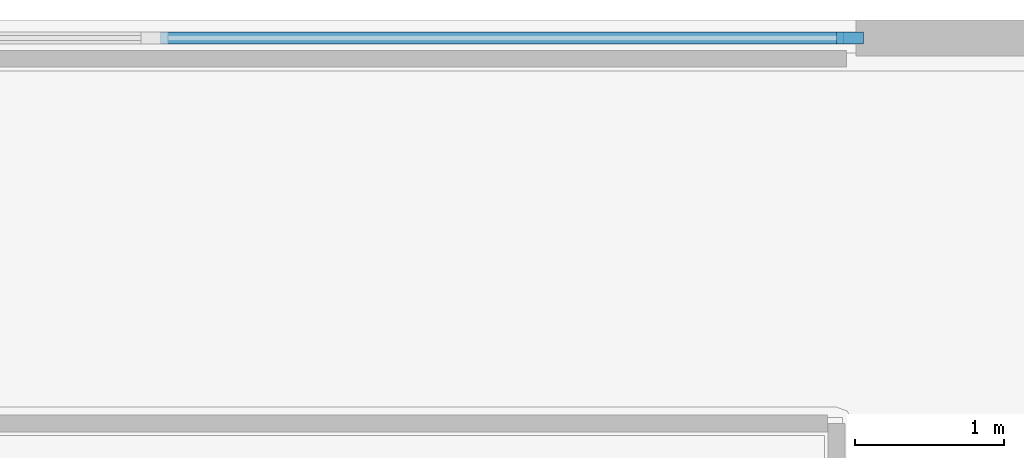
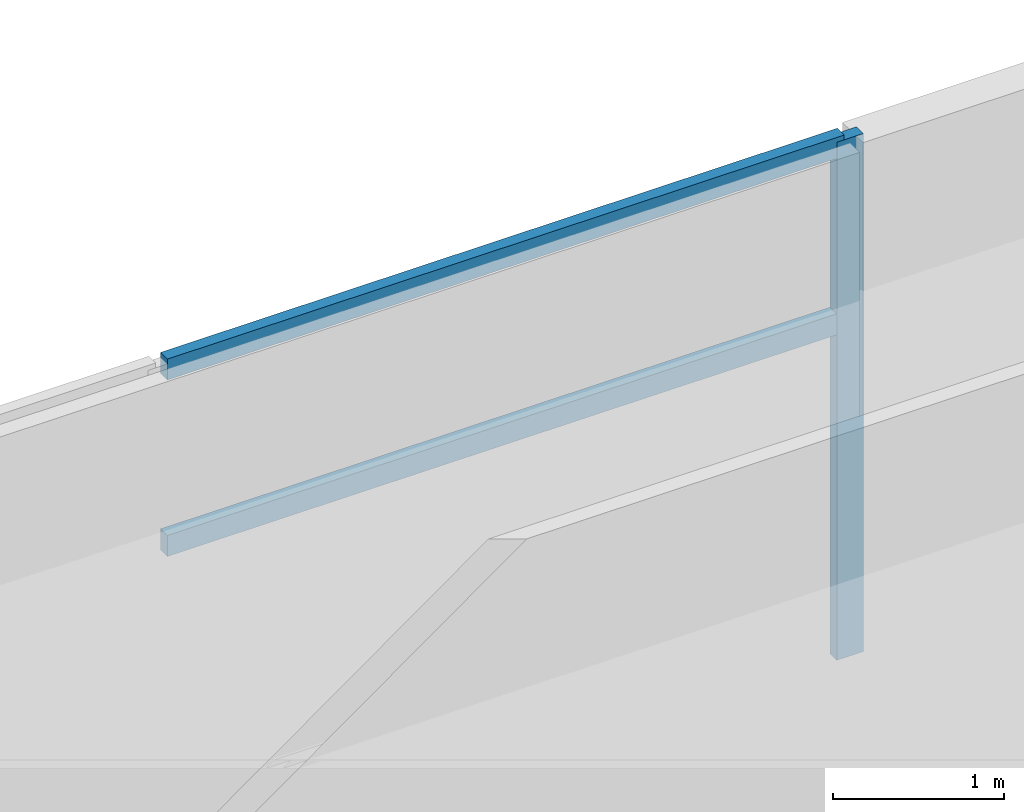
# One storey, part 2 of 7: 3 members, 1 element without a shape of its own.
"""IFC4 building model written with IfcOpenShell, lengths in metres."""

from ifc_helpers import new_model, si_unit, direction, frame, origin, origin_2d, place, context, subcontext, project, spatial, rectangle, extrude, material, layer, layer_set, material_profile, profile_set, type_object, element, aggregate, save


model = new_model("IFC4")

# Units and contexts
model_context = context("Model", 3, precision=1e-05, world=origin(), true_north=direction((0.0, 1.0)))
body_context = subcontext(model_context, "Body", "Model", "MODEL_VIEW")
ifc_project = project(units=[si_unit("LENGTHUNIT", "METRE"), si_unit("AREAUNIT", "SQUARE_METRE"), si_unit("VOLUMEUNIT", "CUBIC_METRE"), si_unit("PLANEANGLEUNIT", "RADIAN"), si_unit("MASSUNIT", "GRAM", prefix="KILO")], contexts=[model_context])

# Site, building, storey
site_placement = place(None, origin())
site = spatial("IfcSite", under=ifc_project, at=site_placement, CompositionType="ELEMENT")
building_placement = place(site_placement, origin())
building = spatial("IfcBuilding", under=site, at=building_placement, Name="Caeloran Harvest Quay", CompositionType="ELEMENT")
storey_placement = place(building_placement, frame((0.0, 0.0, 264.60009765625)))
storey = spatial("IfcBuildingStorey", under=building, at=storey_placement, Name="L63", CompositionType="ELEMENT", Elevation=264.60009765625)

# Curtain wall, members
ifc_material_1 = material(Name="Aluminium 6063-T6 and Low-E Glazing", Category="aluminium")
ifc_layer = layer(ifc_material_1, 0.219970703125, Name="Aluminium 6063-T6 and Low-E Glazing")
ifc_layer_set = layer_set([ifc_layer], Name="Aluminium 6063-T6 and Low-E Glazing")
curtain_wall_type = type_object("IfcCurtainWallType", Name="CW-SYS-CW-5", PredefinedType="USERDEFINED", material=ifc_layer_set)
curtain_wall_placement = place(storey_placement, origin())
curtain_wall = element("IfcCurtainWall", 1, at=curtain_wall_placement, inside=storey, type_object=curtain_wall_type, Name="L63 Unitised Curtain Wall CW-5 Run 6", ObjectType="CURTAIN_WALL", PredefinedType="USERDEFINED")
ifc_material_2 = material(Name="Aluminium 6063-T6", Category="aluminium")
ifc_material_profile_1 = material_profile(ifc_material_2, rectangle(XDim=0.080078125, YDim=0.179931640625, at=origin_2d()), Name="CW-MULLION-180")
ifc_profile_set_1 = profile_set([ifc_material_profile_1], Name="Aluminium 6063-T6")
member_type_1 = type_object("IfcMemberType", Name="CW-MULLION-180", PredefinedType="MULLION", material=ifc_profile_set_1)
member_1_placement = place(storey_placement, frame((30.43994140625, 43.3798828125, 0.0), z_axis=(0.0, 0.0, 1.0), x_axis=(0.0, 1.0, 0.0)))
member_1 = element("IfcMember", 2, at=member_1_placement, type_object=member_type_1, Name="CW-5 mullion 6", PredefinedType="MULLION", context=body_context, shape_type="SweptSolid", body=[
    extrude(rectangle(XDim=0.080078125, YDim=0.179931640625, at=origin_2d()), origin(), (0.0, 0.0, 1.0), 3.699951171875),
])
ifc_material_profile_2 = material_profile(ifc_material_2, rectangle(XDim=0.080078125, YDim=0.14990234375, at=origin_2d()), Name="CW-TRANSOM-150")
ifc_profile_set_2 = profile_set([ifc_material_profile_2], Name="Aluminium 6063-T6")
member_type_2 = type_object("IfcMemberType", Name="CW-TRANSOM-150", PredefinedType="USERDEFINED", material=ifc_profile_set_2)
member_2_placement = place(storey_placement, frame((25.827880859375, 43.3798828125, 2.39990234375), z_axis=(1.0, 0.0, 0.0), x_axis=(0.0, 1.0, 0.0)))
member_2 = element("IfcMember", 3, at=member_2_placement, type_object=member_type_2, Name="CW-5 transom 5.2", ObjectType="TRANSOM", PredefinedType="USERDEFINED", context=body_context, shape_type="SweptSolid", body=[
    extrude(rectangle(XDim=0.080078125, YDim=0.14990234375, at=origin_2d()), origin(), (0.0, 0.0, 1.0), 4.572021484375),
])
member_3_placement = place(storey_placement, frame((25.827880859375, 43.3798828125, 3.659912109375), z_axis=(1.0, 0.0, 0.0), x_axis=(0.0, 1.0, 0.0)))
member_3 = element("IfcMember", 4, at=member_3_placement, type_object=member_type_2, Name="CW-5 transom 5.3", ObjectType="TRANSOM", PredefinedType="USERDEFINED", context=body_context, shape_type="SweptSolid", body=[
    extrude(rectangle(XDim=0.080078125, YDim=0.14990234375, at=origin_2d()), origin(), (0.0, 0.0, 1.0), 4.572021484375),
])
aggregate(curtain_wall, [member_1, member_2, member_3])

save(model, "model.ifc")
